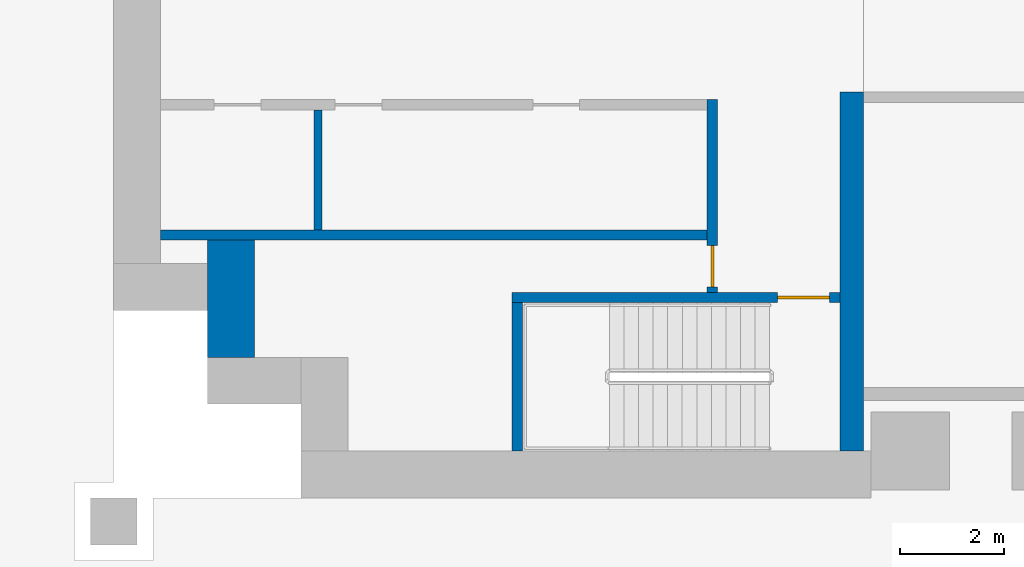
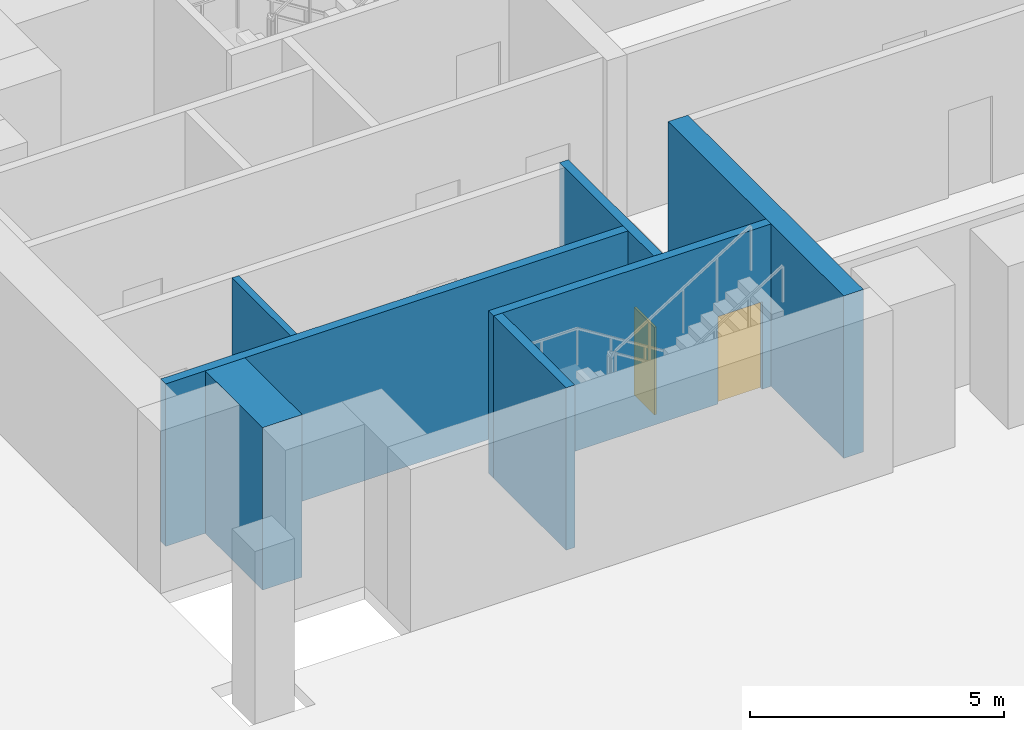
# One storey, part 2 of 8: 7 walls, 2 doors, 2 openings.
"""IFC4 building model written with IfcOpenShell, lengths in metres."""

import ifcopenshell
import ifcopenshell.guid

model = None  # the IFC model being written
_history = None  # IfcOwnerHistory: only IFC2X3 demands one
_inside = {}  # id of a spatial element -> (the spatial element, [elements in it])
_under = {}  # id of a project, library or spatial element -> (it, [spatial elements below it])
_declared = {}  # id of a project -> (the project, [libraries it declares])
_typed = {}  # id of a type object -> (the type object, [elements of that type])
_made_of = {}  # id of a material, layer set ... -> (it, [elements and type objects made of it])


def new_model(schema):
    """Start an empty IFC model of exactly this schema.

    Asked for "IFC4X3", IfcOpenShell would pick the latest addendum, in which some entities
    have other attributes; the version numbers below select the first issue.
    IFC2X3 requires an IfcOwnerHistory on every rooted entity: one is made here for all.
    """
    global model, _history
    if schema == "IFC4X3":
        model = ifcopenshell.file(schema_version=(4, 3, 0, 0))
    else:
        model = ifcopenshell.file(schema=schema)
    _inside.clear()
    _under.clear()
    _declared.clear()
    _typed.clear()
    _made_of.clear()
    _history = None
    if model.schema == "IFC2X3":
        org = make("IfcOrganization", Name="unknown")
        user = make(
            "IfcPersonAndOrganization",
            ThePerson=make("IfcPerson", FamilyName="unknown"),
            TheOrganization=org,
        )
        app = make(
            "IfcApplication",
            ApplicationDeveloper=org,
            Version="unknown",
            ApplicationFullName="unknown",
            ApplicationIdentifier="unknown",
        )
        _history = make(
            "IfcOwnerHistory",
            OwningUser=user,
            OwningApplication=app,
            ChangeAction="ADDED",
            CreationDate=0,
        )
    return model


def make(cls, **values):
    """One entity of the class cls with the attributes given. An attribute that is None is left unset."""
    return model.create_entity(
        cls, **{name: value for name, value in values.items() if value is not None}
    )


def rooted(cls, **values):
    """An entity with a GlobalId (a new one), such as an element, a storey or a relation."""
    return make(cls, GlobalId=ifcopenshell.guid.new(), OwnerHistory=_history, **values)


def si_unit(unit_type, name, prefix=None):
    """IfcSIUnit, for example si_unit("LENGTHUNIT", "METRE", prefix="MILLI")."""
    return make("IfcSIUnit", UnitType=unit_type, Prefix=prefix, Name=name)


def assignment(units):
    """IfcUnitAssignment: the units of a project."""
    return None if units is None else make("IfcUnitAssignment", Units=units)


def point(xyz):
    """IfcCartesianPoint."""
    return None if xyz is None else make("IfcCartesianPoint", Coordinates=xyz)


def direction(xyz):
    """IfcDirection."""
    return None if xyz is None else make("IfcDirection", DirectionRatios=xyz)


def frame(location, z_axis=None, x_axis=None):
    """IfcAxis2Placement3D, a coordinate frame: its origin and axes. An axis left out is left unset."""
    return make(
        "IfcAxis2Placement3D",
        Location=point(location),
        Axis=direction(z_axis),
        RefDirection=direction(x_axis),
    )


def frame_2d(location, x_axis=None):
    """IfcAxis2Placement2D, a coordinate frame in the plane: its origin and x axis."""
    return make(
        "IfcAxis2Placement2D", Location=point(location), RefDirection=direction(x_axis)
    )


def origin():
    """The frame at (0, 0, 0) with its axes left unset."""
    return frame((0.0, 0.0, 0.0))


def place(relative_to, where):
    """IfcLocalPlacement: puts the frame where relative to a parent placement (None: the world)."""
    return make(
        "IfcLocalPlacement", PlacementRelTo=relative_to, RelativePlacement=where
    )


def context(
    kind, dimensions, precision=None, world=None, true_north=None, identifier=None
):
    """IfcGeometricRepresentationContext, for example the 3D "Model" context."""
    return make(
        "IfcGeometricRepresentationContext",
        ContextIdentifier=identifier,
        ContextType=kind,
        CoordinateSpaceDimension=dimensions,
        Precision=precision,
        WorldCoordinateSystem=world,
        TrueNorth=true_north,
    )


def subcontext(parent, identifier, kind, view, scale=None):
    """IfcGeometricRepresentationSubContext, for example "Body" below "Model"."""
    return make(
        "IfcGeometricRepresentationSubContext",
        ContextIdentifier=identifier,
        ContextType=kind,
        ParentContext=parent,
        TargetScale=scale,
        TargetView=view,
    )


def project(units=None, contexts=None):
    """IfcProject with its units and contexts."""
    return rooted(
        "IfcProject",
        Name="project",
        RepresentationContexts=contexts,
        UnitsInContext=assignment(units),
    )


def spatial(cls, under=None, at=None, **own):
    """A site, building, storey or space (cls), placed at a placement, below another one or the project."""
    s = rooted(cls, ObjectPlacement=at, **own)
    if under is not None:
        _under.setdefault(under.id(), (under, []))[1].append(s)
    return s


def profile(cls, at=None, kind="AREA", **sizes):
    """A parametric profile (cls). Its sizes go by their IFC names, for example OverallWidth=200.0."""
    return make(cls, ProfileType=kind, Position=at, **sizes)


def rectangle(**sizes):
    """IfcRectangleProfileDef."""
    return profile("IfcRectangleProfileDef", **sizes)


def extrude(swept, where, along, depth):
    """IfcExtrudedAreaSolid: the profile swept, set in the frame where, extruded along a direction by depth."""
    return make(
        "IfcExtrudedAreaSolid",
        SweptArea=swept,
        Position=where,
        ExtrudedDirection=direction(along),
        Depth=depth,
    )


def shape(context_of_items, identifier, shape_type, items):
    """IfcShapeRepresentation: the items that make up one representation, for example the "Body"."""
    return make(
        "IfcShapeRepresentation",
        ContextOfItems=context_of_items,
        RepresentationIdentifier=identifier,
        RepresentationType=shape_type,
        Items=items,
    )


def material(Name=None, Category=None):
    """IfcMaterial."""
    return make("IfcMaterial", Name=Name, Category=Category)


def layer(
    of_material, thickness, ventilated=None, Name=None, Category=None, Priority=None
):
    """IfcMaterialLayer: one layer of a wall or slab, of a material (None: an air gap)."""
    return make(
        "IfcMaterialLayer",
        Material=of_material,
        LayerThickness=thickness,
        IsVentilated=ventilated,
        Name=Name,
        Category=Category,
        Priority=Priority,
    )


def layer_set(layers, Name=None):
    """IfcMaterialLayerSet."""
    return make("IfcMaterialLayerSet", MaterialLayers=layers, LayerSetName=Name)


def made_of(thing, what):
    """Note that an element or type object is made of a material, layer set ...; save() writes the relation."""
    if what is not None:
        _made_of.setdefault(what.id(), (what, []))[1].append(thing)
    return thing


def type_object(cls, material=None, **own):
    """A type object (cls), such as IfcWallType, which elements share."""
    return made_of(rooted(cls, **own), material)


def element(
    cls,
    number,
    at=None,
    inside=None,
    cuts=None,
    type_object=None,
    material=None,
    context=None,
    identifier="Body",
    shape_type=None,
    held_by="IfcProductDefinitionShape",
    body=None,
    shapes=None,
    **own,
):
    """One element of the class cls, such as IfcWall. Its Tag is "e" and its number.

    at: its placement. inside: the storey or other place that contains it. cuts: it is an
    opening in that element (IfcRelVoidsElement). A single representation is given by context,
    identifier, shape_type and body (its items); several are given by shapes. held_by: the class
    of the entity that holds the representations. save() writes the other relations.
    """
    e = rooted(cls, Tag="e%d" % number, ObjectPlacement=at, **own)
    if body is not None:
        shapes = [shape(context, identifier, shape_type, body)]
    if shapes is not None:
        e.Representation = make(held_by, Representations=shapes)
    if inside is not None:
        _inside.setdefault(inside.id(), (inside, []))[1].append(e)
    if cuts is not None:
        rooted(
            "IfcRelVoidsElement", RelatingBuildingElement=cuts, RelatedOpeningElement=e
        )
    if type_object is not None:
        _typed.setdefault(type_object.id(), (type_object, []))[1].append(e)
    return made_of(e, material)


def fill(opening, filler):
    """IfcRelFillsElement: the door or window that sits in an opening."""
    return rooted(
        "IfcRelFillsElement",
        RelatingOpeningElement=opening,
        RelatedBuildingElement=filler,
    )


def aggregate(whole, parts):
    """IfcRelAggregates: a whole, such as a stair, and the parts it consists of."""
    return rooted("IfcRelAggregates", RelatingObject=whole, RelatedObjects=parts)


def save(model, path):
    """Write the relations noted so far, then the file.

    IfcRelAggregates (storeys below a building ...), IfcRelContainedInSpatialStructure (elements
    in a storey), IfcRelDefinesByType, IfcRelAssociatesMaterial and IfcRelDeclares: one each for
    every whole, place, type object, material and project.
    """
    for whole, parts in _under.values():
        aggregate(whole, parts)
    for where, things in _inside.values():
        rooted(
            "IfcRelContainedInSpatialStructure",
            RelatedElements=things,
            RelatingStructure=where,
        )
    for kind, things in _typed.values():
        rooted("IfcRelDefinesByType", RelatedObjects=things, RelatingType=kind)
    for what, things in _made_of.values():
        rooted("IfcRelAssociatesMaterial", RelatedObjects=things, RelatingMaterial=what)
    for by, libraries in _declared.values():
        rooted("IfcRelDeclares", RelatingContext=by, RelatedDefinitions=libraries)
    model.write(path)


model = new_model("IFC4")

# Units and contexts
model_context = context("Model", 3, precision=1e-05, world=origin(), true_north=direction((0.0, 1.0)))
body_context = subcontext(model_context, "Body", "Model", "MODEL_VIEW")
ifc_project = project(units=[si_unit("LENGTHUNIT", "METRE"), si_unit("AREAUNIT", "SQUARE_METRE"), si_unit("VOLUMEUNIT", "CUBIC_METRE"), si_unit("PLANEANGLEUNIT", "RADIAN"), si_unit("MASSUNIT", "GRAM", prefix="KILO")], contexts=[model_context])

# Site, building, storey
site_placement = place(None, origin())
site = spatial("IfcSite", under=ifc_project, at=site_placement, CompositionType="ELEMENT")
building_placement = place(site_placement, origin())
building = spatial("IfcBuilding", under=site, at=building_placement, Name="Perihelion Cross Residences", CompositionType="ELEMENT")
storey_placement = place(building_placement, frame((0.0, 0.0, -12.89990234375)))
storey = spatial("IfcBuildingStorey", under=building, at=storey_placement, Name="B3", CompositionType="ELEMENT", Elevation=-12.89990234375)

# Walls
ifc_material_1 = material(Name="Concrete C60/75", Category="concrete")
ifc_layer_1 = layer(ifc_material_1, 0.449951171875)
ifc_layer_set_1 = layer_set([ifc_layer_1], Name="Core wall, inner 450")
wall_type_1 = type_object("IfcWallType", Name="Core wall, inner 450", PredefinedType="SHEAR", material=ifc_layer_set_1)
wall_1_placement = place(storey_placement, frame((-21.824951171875, -8.10009765625, 0.0), z_axis=(0.0, 0.0, 1.0), x_axis=(0.0, 1.0, 0.0)))
element("IfcWall", 1, at=wall_1_placement, inside=storey, type_object=wall_type_1, Name="West core core wall, inner", PredefinedType="SHEAR", context=body_context, shape_type="SweptSolid", body=[
    extrude(rectangle(XDim=6.900146484375, YDim=0.449951171875, at=frame_2d((3.4501953125, 0.0))), origin(), (0.0, 0.0, 1.0), 3.89990234375),
])
ifc_material_2 = material(Name="Concrete C60/75", Category="concrete")
ifc_layer_2 = layer(ifc_material_2, 0.89990234375)
ifc_layer_set_2 = layer_set([ifc_layer_2], Name="Core wall, outer 900")
wall_type_2 = type_object("IfcWallType", Name="Core wall, outer 900", PredefinedType="SHEAR", material=ifc_layer_set_2)
wall_2_placement = place(storey_placement, frame((-33.75, -6.300048828125, 0.0), z_axis=(0.0, 0.0, 1.0), x_axis=(0.0, 1.0, 0.0)))
element("IfcWall", 2, at=wall_2_placement, inside=storey, type_object=wall_type_2, Name="West core core wall, outer", PredefinedType="SHEAR", context=body_context, shape_type="SweptSolid", body=[
    extrude(rectangle(XDim=2.25, YDim=0.89990234375, at=frame_2d((1.125, 0.0))), origin(), (0.0, 0.0, 1.0), 3.89990234375),
])

# Wall, opening, door
ifc_material_3 = material(Name="Concrete C50/60", Category="concrete")
ifc_layer_3 = layer(ifc_material_3, 0.199951171875)
ifc_layer_set_3 = layer_set([ifc_layer_3], Name="Lobby wall 200")
wall_type_3 = type_object("IfcWallType", Name="Lobby wall 200", PredefinedType="SOLIDWALL", material=ifc_layer_set_3)
wall_3_placement = place(storey_placement, frame((-24.5, -5.050048828125, 0.0), z_axis=(0.0, 0.0, 1.0), x_axis=(0.0, 1.0, 0.0)))
wall_3 = element("IfcWall", 3, at=wall_3_placement, inside=storey, type_object=wall_type_3, Name="West core lobby wall", PredefinedType="SOLIDWALL", context=body_context, shape_type="SweptSolid", body=[
    extrude(rectangle(XDim=3.699951171875, YDim=0.199951171875, at=frame_2d((1.85009765625, 0.0))), origin(), (0.0, 0.0, 1.0), 3.89990234375),
])
opening_1_placement = place(wall_3_placement, frame((0.10009765625, 0.0, 0.0)))
opening_1 = element("IfcOpeningElement", 4, at=opening_1_placement, cuts=wall_3, Name="Opening B3.C16", PredefinedType="OPENING", context=body_context, shape_type="SweptSolid", body=[
    extrude(rectangle(XDim=0.800048828125, YDim=2.10009765625, at=frame_2d((0.39990234375, 1.050048828125))), frame((0.0, 0.10986328125, 0.0), z_axis=(0.0, -1.0, 0.0), x_axis=(1.0, 0.0, 0.0)), (0.0, 0.0, 1.0), 0.219970703125),
])
ifc_material_4 = material(Name="Steel, powder coated", Category="steel")
door_type_1 = type_object("IfcDoorType", Name="Riser door 800", OperationType="SINGLE_SWING_LEFT", PredefinedType="DOOR", material=ifc_material_4)
door_1_placement = place(opening_1_placement, origin())
door_1 = element("IfcDoor", 5, at=door_1_placement, inside=storey, type_object=door_type_1, Name="West core riser door", OperationType="SINGLE_SWING_LEFT", OverallHeight=2.10009765625, OverallWidth=0.800048828125, PredefinedType="DOOR", context=body_context, shape_type="SweptSolid", body=[
    extrude(rectangle(XDim=0.800048828125, YDim=2.10009765625, at=frame_2d((0.39990234375, 1.050048828125))), frame((0.0, 0.02490234375, 0.0), z_axis=(0.0, -1.0, 0.0), x_axis=(1.0, 0.0, 0.0)), (0.0, 0.0, 1.0), 0.050048828125),
])
fill(opening_1, door_1)

# Walls
ifc_material_5 = material(Name="Fire-rated board on steel stud", Category="steel")
ifc_layer_4 = layer(ifc_material_5, 0.14990234375)
ifc_layer_set_4 = layer_set([ifc_layer_4], Name="Riser wall 150")
wall_type_4 = type_object("IfcWallType", Name="Riser wall 150", PredefinedType="PARTITIONING", material=ifc_layer_set_4)
wall_4_placement = place(storey_placement, frame((-32.074951171875, -3.85009765625, 0.0), z_axis=(0.0, 0.0, 1.0), x_axis=(0.0, 1.0, 0.0)))
element("IfcWall", 6, at=wall_4_placement, inside=storey, type_object=wall_type_4, Name="West core riser wall", PredefinedType="PARTITIONING", context=body_context, shape_type="SweptSolid", body=[
    extrude(rectangle(XDim=2.300048828125, YDim=0.14990234375, at=frame_2d((1.14990234375, 0.0))), origin(), (0.0, 0.0, 1.0), 3.89990234375),
])
ifc_material_6 = material(Name="Concrete C50/60", Category="concrete")
ifc_layer_5 = layer(ifc_material_6, 0.199951171875)
ifc_layer_set_5 = layer_set([ifc_layer_5], Name="Shaft wall 200")
wall_type_5 = type_object("IfcWallType", Name="Shaft wall 200", PredefinedType="SOLIDWALL", material=ifc_layer_set_5)
wall_5_placement = place(storey_placement, frame((-35.10009765625, -3.949951171875, 0.0), z_axis=(0.0, 0.0, 1.0), x_axis=(1.0, 0.0, 0.0)))
element("IfcWall", 7, at=wall_5_placement, inside=storey, type_object=wall_type_5, Name="West core shaft wall", PredefinedType="SOLIDWALL", context=body_context, shape_type="SweptSolid", body=[
    extrude(rectangle(XDim=10.5, YDim=0.199951171875, at=frame_2d((5.25, 0.0))), origin(), (0.0, 0.0, 1.0), 3.89990234375),
])

# Wall, opening, door
ifc_material_7 = material(Name="Concrete C50/60", Category="concrete")
ifc_layer_6 = layer(ifc_material_7, 0.199951171875)
ifc_layer_set_6 = layer_set([ifc_layer_6], Name="Stair wall 200")
wall_type_6 = type_object("IfcWallType", Name="Stair wall 200", PredefinedType="SOLIDWALL", material=ifc_layer_set_6)
wall_6_placement = place(storey_placement, frame((-28.35009765625, -5.14990234375, 0.0), z_axis=(0.0, 0.0, 1.0), x_axis=(1.0, 0.0, 0.0)))
wall_6 = element("IfcWall", 8, at=wall_6_placement, inside=storey, type_object=wall_type_6, Name="West core stair wall", PredefinedType="SOLIDWALL", context=body_context, shape_type="SweptSolid", body=[
    extrude(rectangle(XDim=6.300048828125, YDim=0.199951171875, at=frame_2d((3.14990234375, 0.0))), origin(), (0.0, 0.0, 1.0), 3.89990234375),
])
opening_2_placement = place(wall_6_placement, frame((5.10009765625, 0.0, 0.0)))
opening_2 = element("IfcOpeningElement", 9, at=opening_2_placement, cuts=wall_6, Name="Opening B3.C13", PredefinedType="OPENING", context=body_context, shape_type="SweptSolid", body=[
    extrude(rectangle(XDim=1.0, YDim=2.10009765625, at=frame_2d((0.5, 1.050048828125))), frame((0.0, 0.10986328125, 0.0), z_axis=(0.0, -1.0, 0.0), x_axis=(1.0, 0.0, 0.0)), (0.0, 0.0, 1.0), 0.219970703125),
])
ifc_material_8 = material(Name="Steel, powder coated", Category="steel")
door_type_2 = type_object("IfcDoorType", Name="Stair door 1000", OperationType="SINGLE_SWING_LEFT", PredefinedType="DOOR", material=ifc_material_8)
door_2_placement = place(opening_2_placement, origin())
door_2 = element("IfcDoor", 10, at=door_2_placement, inside=storey, type_object=door_type_2, Name="West core stair door", OperationType="SINGLE_SWING_LEFT", OverallHeight=2.10009765625, OverallWidth=1.0, PredefinedType="DOOR", context=body_context, shape_type="SweptSolid", body=[
    extrude(rectangle(XDim=1.0, YDim=2.10009765625, at=frame_2d((0.5, 1.050048828125))), frame((0.0, 0.02490234375, 0.0), z_axis=(0.0, -1.0, 0.0), x_axis=(1.0, 0.0, 0.0)), (0.0, 0.0, 1.0), 0.050048828125),
])
fill(opening_2, door_2)

# Wall
wall_7_placement = place(storey_placement, frame((-28.25, -8.10009765625, 0.0), z_axis=(0.0, 0.0, 1.0), x_axis=(0.0, 1.0, 0.0)))
element("IfcWall", 11, at=wall_7_placement, inside=storey, type_object=wall_type_6, Name="West core stair wall", PredefinedType="SOLIDWALL", context=body_context, shape_type="SweptSolid", body=[
    extrude(rectangle(XDim=2.85009765625, YDim=0.199951171875, at=frame_2d((1.425048828125, 0.0))), origin(), (0.0, 0.0, 1.0), 3.89990234375),
])

save(model, "model.ifc")
